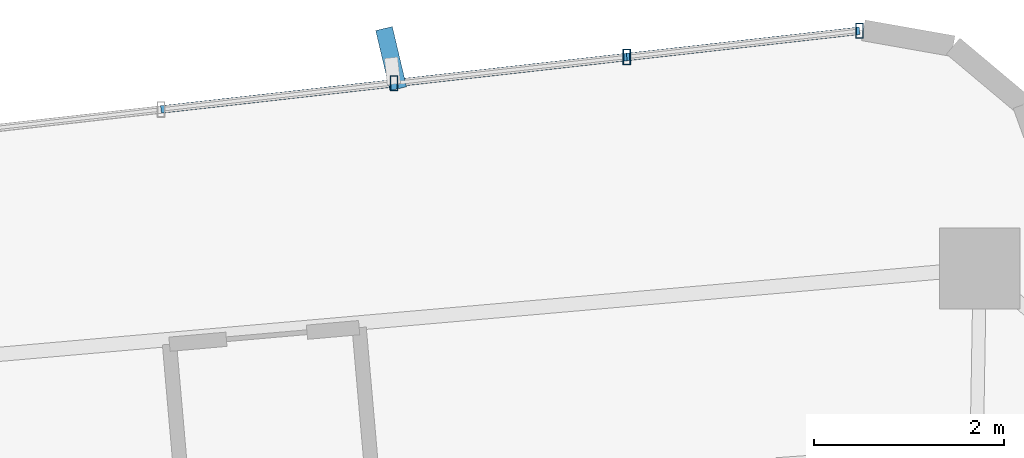
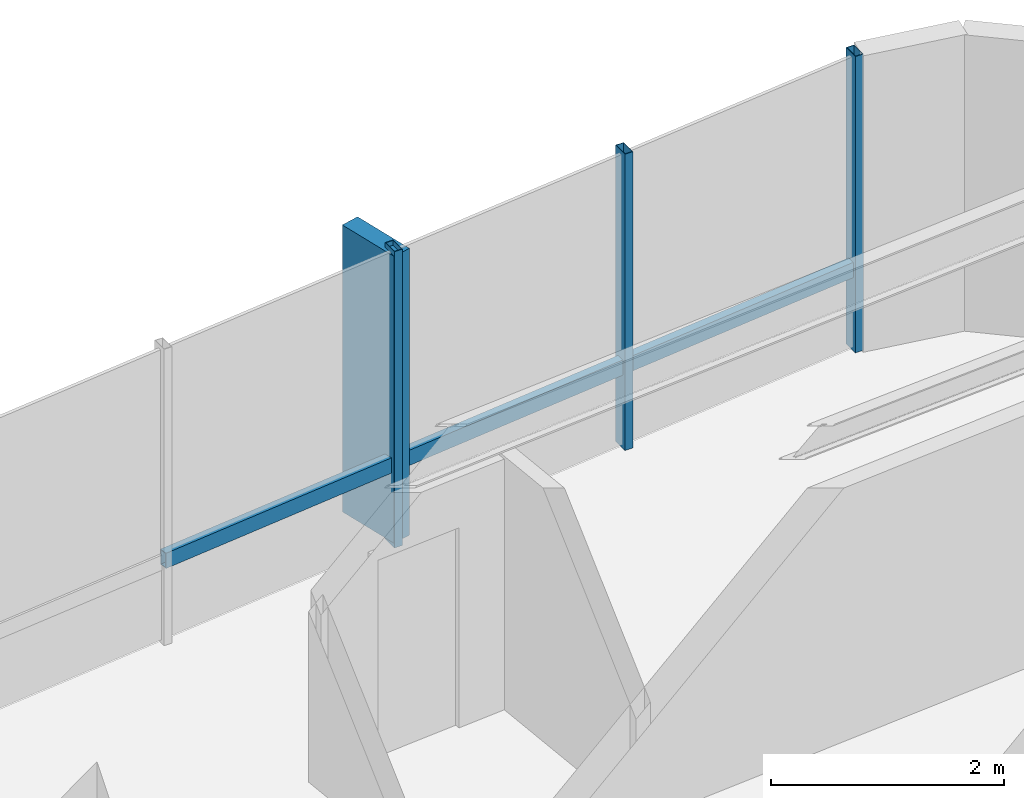
# One storey, part 18 of 24: 7 members, 1 element without a shape of its own.
"""IFC4 building model written with IfcOpenShell, lengths in metres."""

from ifc_helpers import new_model, si_unit, direction, frame, origin, origin_2d, place, context, subcontext, project, spatial, rectangle, hollow_rectangle, extrude, source, transform, mapped, material, material_profile, profile_set, type_object, element, aggregate, save


model = new_model("IFC4")

# Units and contexts
model_context = context("Model", 3, precision=1e-05, world=origin(), true_north=direction((0.0, 1.0)))
body_context = subcontext(model_context, "Body", "Model", "MODEL_VIEW")
ifc_project = project(units=[si_unit("LENGTHUNIT", "METRE"), si_unit("AREAUNIT", "SQUARE_METRE"), si_unit("VOLUMEUNIT", "CUBIC_METRE"), si_unit("PLANEANGLEUNIT", "RADIAN"), si_unit("MASSUNIT", "GRAM", prefix="KILO")], contexts=[model_context])

# Site, building, storey
site_placement = place(None, origin())
site = spatial("IfcSite", under=ifc_project, at=site_placement, CompositionType="ELEMENT")
building_placement = place(site_placement, origin())
building = spatial("IfcBuilding", under=site, at=building_placement, Name="Sahyath Konkavel Grand Hotel", CompositionType="ELEMENT")
storey_placement = place(building_placement, frame((0.0, 0.0, 188.60009765625)))
storey = spatial("IfcBuildingStorey", under=building, at=storey_placement, Name="L52", CompositionType="ELEMENT", Elevation=188.60009765625)

# Curtain wall, members
ifc_material_1 = material(Name="Anodised Bronze Aluminium & Low-E Glazing", Category="aluminium")
curtain_wall_type = type_object("IfcCurtainWallType", Name="CW-ZONE3", PredefinedType="NOTDEFINED", material=ifc_material_1)
curtain_wall_placement = place(storey_placement, origin())
curtain_wall = element("IfcCurtainWall", 1, at=curtain_wall_placement, inside=storey, type_object=curtain_wall_type, Name="L52 Unitised Curtain Wall F12", PredefinedType="NOTDEFINED")
ifc_material_2 = material(Name="Anodised Bronze Aluminium", Category="aluminium")
ifc_material_profile_1 = material_profile(ifc_material_2, hollow_rectangle(XDim=0.080078125, YDim=0.159912109375, WallThickness=0.006103515625, at=origin_2d()), Name="RHS 160x80x6")
ifc_profile_set_1 = profile_set([ifc_material_profile_1], Name="Anodised Bronze Aluminium")
member_type_1 = type_object("IfcMemberType", Name="CW-MUL-160", PredefinedType="MULLION", material=ifc_profile_set_1)
shared_shape_1 = source(origin(), body_context, "Body", "SweptSolid", [
    extrude(hollow_rectangle(XDim=0.080078125, YDim=0.159912109375, WallThickness=0.006103515625, at=origin_2d()), origin(), (0.0, 0.0, 1.0), 3.10986328125),
])
member_1_placement = place(storey_placement, frame((2.673828125, 20.610595703125, 0.0), z_axis=(0.0, 0.0, 1.0), x_axis=(1.0, 0.0, 0.0)))
member_1 = element("IfcMember", 2, at=member_1_placement, type_object=member_type_1, Name="L52 Curtain Wall Mullion F12-0", PredefinedType="MULLION", context=body_context, shape_type="MappedRepresentation", body=[
    mapped(shared_shape_1, transform((0.0, 0.0, 0.0), scale=1.0)),
])
member_2_placement = place(storey_placement, frame((0.227294921875, 20.334716796875, 0.0), z_axis=(0.0, 0.0, 1.0), x_axis=(1.0, 0.0, 0.0)))
member_2 = element("IfcMember", 3, at=member_2_placement, type_object=member_type_1, Name="L52 Curtain Wall Mullion F12-1", PredefinedType="MULLION", context=body_context, shape_type="MappedRepresentation", body=[
    mapped(shared_shape_1, transform((0.0, 0.0, 0.0), scale=1.0)),
])
member_3_placement = place(storey_placement, frame((-2.21923828125, 20.05908203125, 0.0), z_axis=(0.0, 0.0, 1.0), x_axis=(1.0, 0.0, 0.0)))
member_3 = element("IfcMember", 4, at=member_3_placement, type_object=member_type_1, Name="L52 Curtain Wall Mullion F12-2", PredefinedType="MULLION", context=body_context, shape_type="MappedRepresentation", body=[
    mapped(shared_shape_1, transform((0.0, 0.0, 0.0), scale=1.0)),
])
ifc_material_3 = material(Name="Warm Buff Sandstone Cladding on Concrete C50/60", Category="masonry")
ifc_material_profile_2 = material_profile(ifc_material_3, rectangle(XDim=0.179931640625, YDim=0.64990234375, at=origin_2d()), Name="FIN 180x650")
ifc_profile_set_2 = profile_set([ifc_material_profile_2], Name="Warm Buff Sandstone Cladding on Concrete C50/60")
member_type_2 = type_object("IfcMemberType", Name="FIN-SANDSTONE-650", PredefinedType="MULLION", material=ifc_profile_set_2)
shared_shape_2 = source(origin(), body_context, "Body", "SweptSolid", [
    extrude(rectangle(XDim=0.179931640625, YDim=0.64990234375, at=origin_2d()), origin(), (0.0, 0.0, 1.0), 3.010009765625),
])
member_4_placement = place(storey_placement, frame((-2.248291015625, 20.3173828125, 0.0498046875), z_axis=(0.0, 0.0, 1.0), x_axis=(0.973138706701, 0.230219585439, 0.0)))
member_4 = element("IfcMember", 5, at=member_4_placement, type_object=member_type_2, Name="L52 Sandstone Vertical Solar Fin FIN F12-2", PredefinedType="MULLION", context=body_context, shape_type="MappedRepresentation", body=[
    mapped(shared_shape_2, transform((0.0, 0.0, 0.0), scale=1.0)),
])
ifc_material_profile_3 = material_profile(ifc_material_2, hollow_rectangle(XDim=0.080078125, YDim=0.159912109375, WallThickness=0.006103515625, at=origin_2d()), Name="RHS 160x80x6")
ifc_profile_set_3 = profile_set([ifc_material_profile_3], Name="Anodised Bronze Aluminium")
member_type_3 = type_object("IfcMemberType", Name="CW-TRN-160", PredefinedType="USERDEFINED", material=ifc_profile_set_3)
shared_shape_3 = source(origin(), body_context, "Body", "SweptSolid", [
    extrude(hollow_rectangle(XDim=0.080078125, YDim=0.159912109375, WallThickness=0.006103515625, at=origin_2d()), origin(), (0.0, 0.0, 1.0), 2.462158203125),
])
member_5_placement = place(storey_placement, frame((2.673828125, 20.610595703125, 0.849853515625), z_axis=(-0.99370222711, -0.112053040279, 0.0), x_axis=(0.112053040279, -0.99370222711, 0.0)))
member_5 = element("IfcMember", 6, at=member_5_placement, type_object=member_type_3, Name="L52 Curtain Wall Transom F12-0-spandrel", ObjectType="TRANSOM", PredefinedType="USERDEFINED", context=body_context, shape_type="MappedRepresentation", body=[
    mapped(shared_shape_3, transform((0.0, 0.0, 0.0), scale=1.0)),
])
member_6_placement = place(storey_placement, frame((-2.21923828125, 20.05908203125, 0.849853515625), z_axis=(-0.99370222711, -0.112053040279, 0.0), x_axis=(0.112053040279, -0.99370222711, 0.0)))
member_6 = element("IfcMember", 7, at=member_6_placement, type_object=member_type_3, Name="L52 Curtain Wall Transom F12-2-spandrel", ObjectType="TRANSOM", PredefinedType="USERDEFINED", context=body_context, shape_type="MappedRepresentation", body=[
    mapped(shared_shape_3, transform((0.0, 0.0, 0.0), scale=1.0)),
])
shared_shape_4 = source(origin(), body_context, "Body", "SweptSolid", [
    extrude(hollow_rectangle(XDim=0.080078125, YDim=0.159912109375, WallThickness=0.006103515625, at=origin_2d()), origin(), (0.0, 0.0, 1.0), 2.4619140625),
])
member_7_placement = place(storey_placement, frame((0.227294921875, 20.334716796875, 0.849853515625), z_axis=(-0.993713263833, -0.111955121731, 0.0), x_axis=(0.111955121731, -0.993713263833, 0.0)))
member_7 = element("IfcMember", 8, at=member_7_placement, type_object=member_type_3, Name="L52 Curtain Wall Transom F12-1-spandrel", ObjectType="TRANSOM", PredefinedType="USERDEFINED", context=body_context, shape_type="MappedRepresentation", body=[
    mapped(shared_shape_4, transform((0.0, 0.0, 0.0), scale=1.0)),
])
aggregate(curtain_wall, [member_1, member_2, member_3, member_4, member_5, member_7, member_6])

save(model, "model.ifc")
